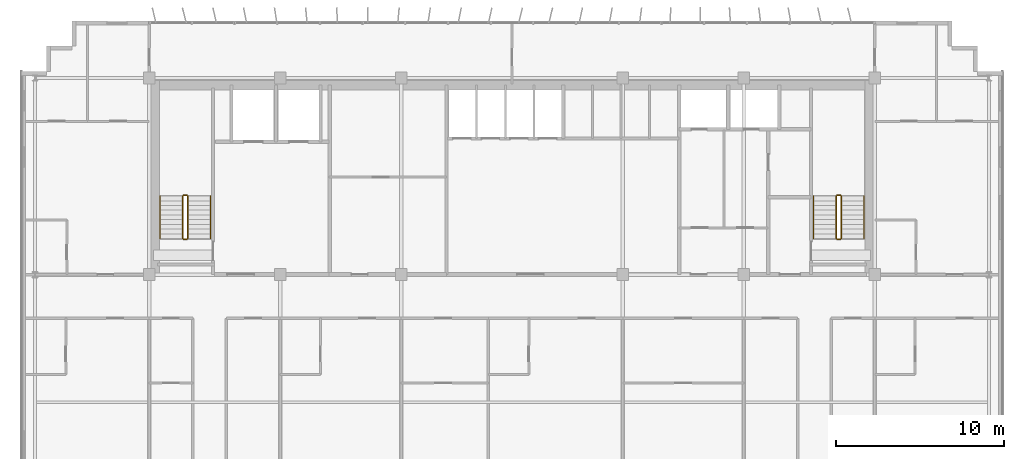
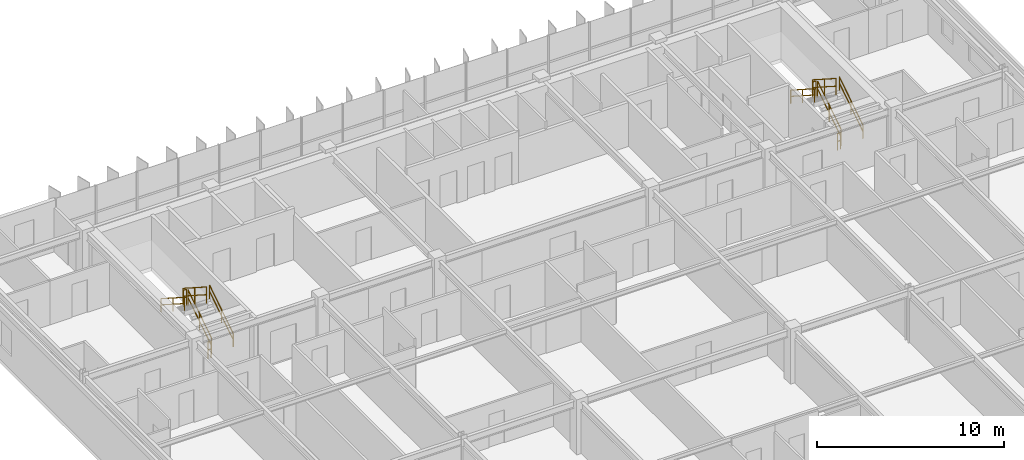
# One storey, part 23 of 23: 12 railings.
"""IFC4 building model written with IfcOpenShell, lengths in metres."""

from ifc_helpers import new_model, si_unit, direction, frame, origin, origin_2d, place, context, subcontext, project, spatial, rectangle, extrude, material, type_object, element, save


model = new_model("IFC4")

# Units and contexts
model_context = context("Model", 3, precision=1e-05, world=origin(), true_north=direction((0.0, 1.0)))
body_context = subcontext(model_context, "Body", "Model", "MODEL_VIEW")
ifc_project = project(units=[si_unit("LENGTHUNIT", "METRE"), si_unit("AREAUNIT", "SQUARE_METRE"), si_unit("VOLUMEUNIT", "CUBIC_METRE"), si_unit("PLANEANGLEUNIT", "RADIAN"), si_unit("MASSUNIT", "GRAM", prefix="KILO")], contexts=[model_context])

# Site, building, storey
site_placement = place(None, origin())
site = spatial("IfcSite", under=ifc_project, at=site_placement, CompositionType="ELEMENT")
building_placement = place(site_placement, origin())
building = spatial("IfcBuilding", under=site, at=building_placement, Name="Trelvane Seafront Commons", CompositionType="ELEMENT")
storey_placement = place(building_placement, frame((0.0, 0.0, 208.5)))
storey = spatial("IfcBuildingStorey", under=building, at=storey_placement, Name="L54", CompositionType="ELEMENT", Elevation=208.5)

# Railings
ifc_material = material(Name="Stainless steel balustrade", Category="steel")
railing_type_1 = type_object("IfcRailingType", Name="ARCH-SRL-GUARD", PredefinedType="GUARDRAIL", material=ifc_material)
railing_1_placement = place(storey_placement, frame((17.89990234375, 35.550048828125, 0.179931640625)))
element("IfcRailing", 1, at=railing_1_placement, inside=storey, type_object=railing_type_1, Name="L54 ST-1 stair guard 1", PredefinedType="GUARDRAIL", context=body_context, shape_type="SweptSolid", body=[
    extrude(rectangle(XDim=0.048095703125, YDim=0.048095703125, at=origin_2d()), frame((0.0, 0.0, 1.076171875), z_axis=(0.0, 0.841162588446, 0.540782303519), x_axis=(-1.0, 0.0, 0.0)), (0.0, 0.0, 1.0), 2.995849609375),
    extrude(rectangle(XDim=0.048095703125, YDim=0.048095703125, at=origin_2d()), frame((0.0, 0.0, 0.572021484375), z_axis=(0.0, 0.841162588446, 0.540782303519), x_axis=(-1.0, 0.0, 0.0)), (0.0, 0.0, 1.0), 2.995849609375),
    extrude(rectangle(XDim=0.0419921875, YDim=0.0419921875, at=origin_2d()), origin(), (0.0, 0.0, 1.0), 1.076171875),
    extrude(rectangle(XDim=0.0419921875, YDim=0.0419921875, at=origin_2d()), frame((0.0, 1.260009765625, 0.81005859375)), (0.0, 0.0, 1.0), 1.076171875),
    extrude(rectangle(XDim=0.0419921875, YDim=0.0419921875, at=origin_2d()), frame((0.0, 2.52001953125, 1.6201171875)), (0.0, 0.0, 1.0), 1.076171875),
])
railing_2_placement = place(storey_placement, frame((17.85009765625, 38.1201171875, 1.800048828125)))
element("IfcRailing", 2, at=railing_2_placement, inside=storey, type_object=railing_type_1, Name="L54 ST-1 stair guard 2", PredefinedType="GUARDRAIL", context=body_context, shape_type="SweptSolid", body=[
    extrude(rectangle(XDim=0.048095703125, YDim=0.048095703125, at=origin_2d()), frame((0.0, 0.0, 1.076171875), z_axis=(-1.0, 0.0, 0.0), x_axis=(0.0, -1.0, 0.0)), (0.0, 0.0, 1.0), 0.2001953125),
    extrude(rectangle(XDim=0.048095703125, YDim=0.048095703125, at=origin_2d()), frame((0.0, 0.0, 0.572021484375), z_axis=(-1.0, 0.0, 0.0), x_axis=(0.0, -1.0, 0.0)), (0.0, 0.0, 1.0), 0.2001953125),
    extrude(rectangle(XDim=0.0419921875, YDim=0.0419921875, at=origin_2d()), origin(), (0.0, 0.0, 1.0), 1.076171875),
    extrude(rectangle(XDim=0.0419921875, YDim=0.0419921875, at=origin_2d()), frame((-0.2001953125, 0.0, 0.0)), (0.0, 0.0, 1.0), 1.076171875),
])
railing_3_placement = place(storey_placement, frame((17.60009765625, 38.070068359375, 1.97998046875)))
element("IfcRailing", 3, at=railing_3_placement, inside=storey, type_object=railing_type_1, Name="L54 ST-1 stair guard 3", PredefinedType="GUARDRAIL", context=body_context, shape_type="SweptSolid", body=[
    extrude(rectangle(XDim=0.048095703125, YDim=0.048095703125, at=origin_2d()), frame((0.0, 0.0, 1.076171875), z_axis=(0.0, -0.841162588446, 0.540782303519), x_axis=(1.0, 0.0, 0.0)), (0.0, 0.0, 1.0), 2.995849609375),
    extrude(rectangle(XDim=0.048095703125, YDim=0.048095703125, at=origin_2d()), frame((0.0, 0.0, 0.572021484375), z_axis=(0.0, -0.841162588446, 0.540782303519), x_axis=(1.0, 0.0, 0.0)), (0.0, 0.0, 1.0), 2.995849609375),
    extrude(rectangle(XDim=0.0419921875, YDim=0.0419921875, at=origin_2d()), origin(), (0.0, 0.0, 1.0), 1.076171875),
    extrude(rectangle(XDim=0.0419921875, YDim=0.0419921875, at=origin_2d()), frame((0.0, -1.260009765625, 0.81005859375)), (0.0, 0.0, 1.0), 1.076171875),
    extrude(rectangle(XDim=0.0419921875, YDim=0.0419921875, at=origin_2d()), frame((0.0, -2.52001953125, 1.6201171875)), (0.0, 0.0, 1.0), 1.076171875),
])
railing_4_placement = place(storey_placement, frame((17.85009765625, 35.5, 0.0)))
element("IfcRailing", 4, at=railing_4_placement, inside=storey, type_object=railing_type_1, Name="L54 ST-1 stair guard 4", PredefinedType="GUARDRAIL", context=body_context, shape_type="SweptSolid", body=[
    extrude(rectangle(XDim=0.048095703125, YDim=0.048095703125, at=origin_2d()), frame((0.0, 0.0, 1.076171875), z_axis=(-1.0, 0.0, 0.0), x_axis=(0.0, -1.0, 0.0)), (0.0, 0.0, 1.0), 0.2001953125),
    extrude(rectangle(XDim=0.048095703125, YDim=0.048095703125, at=origin_2d()), frame((0.0, 0.0, 0.572021484375), z_axis=(-1.0, 0.0, 0.0), x_axis=(0.0, -1.0, 0.0)), (0.0, 0.0, 1.0), 0.2001953125),
    extrude(rectangle(XDim=0.0419921875, YDim=0.0419921875, at=origin_2d()), origin(), (0.0, 0.0, 1.0), 1.076171875),
    extrude(rectangle(XDim=0.0419921875, YDim=0.0419921875, at=origin_2d()), frame((-0.2001953125, 0.0, 0.0)), (0.0, 0.0, 1.0), 1.076171875),
])
railing_5_placement = place(storey_placement, frame((56.800048828125, 35.550048828125, 0.179931640625)))
element("IfcRailing", 5, at=railing_5_placement, inside=storey, type_object=railing_type_1, Name="L54 ST-2 stair guard 1", PredefinedType="GUARDRAIL", context=body_context, shape_type="SweptSolid", body=[
    extrude(rectangle(XDim=0.048095703125, YDim=0.048095703125, at=origin_2d()), frame((0.0, 0.0, 1.076171875), z_axis=(0.0, 0.841162588446, 0.540782303519), x_axis=(-1.0, 0.0, 0.0)), (0.0, 0.0, 1.0), 2.995849609375),
    extrude(rectangle(XDim=0.048095703125, YDim=0.048095703125, at=origin_2d()), frame((0.0, 0.0, 0.572021484375), z_axis=(0.0, 0.841162588446, 0.540782303519), x_axis=(-1.0, 0.0, 0.0)), (0.0, 0.0, 1.0), 2.995849609375),
    extrude(rectangle(XDim=0.0419921875, YDim=0.0419921875, at=origin_2d()), origin(), (0.0, 0.0, 1.0), 1.076171875),
    extrude(rectangle(XDim=0.0419921875, YDim=0.0419921875, at=origin_2d()), frame((0.0, 1.260009765625, 0.81005859375)), (0.0, 0.0, 1.0), 1.076171875),
    extrude(rectangle(XDim=0.0419921875, YDim=0.0419921875, at=origin_2d()), frame((0.0, 2.52001953125, 1.6201171875)), (0.0, 0.0, 1.0), 1.076171875),
])
railing_6_placement = place(storey_placement, frame((56.75, 38.1201171875, 1.800048828125)))
element("IfcRailing", 6, at=railing_6_placement, inside=storey, type_object=railing_type_1, Name="L54 ST-2 stair guard 2", PredefinedType="GUARDRAIL", context=body_context, shape_type="SweptSolid", body=[
    extrude(rectangle(XDim=0.048095703125, YDim=0.048095703125, at=origin_2d()), frame((0.0, 0.0, 1.076171875), z_axis=(-1.0, 0.0, 0.0), x_axis=(0.0, -1.0, 0.0)), (0.0, 0.0, 1.0), 0.199951171875),
    extrude(rectangle(XDim=0.048095703125, YDim=0.048095703125, at=origin_2d()), frame((0.0, 0.0, 0.572021484375), z_axis=(-1.0, 0.0, 0.0), x_axis=(0.0, -1.0, 0.0)), (0.0, 0.0, 1.0), 0.199951171875),
    extrude(rectangle(XDim=0.0419921875, YDim=0.0419921875, at=origin_2d()), origin(), (0.0, 0.0, 1.0), 1.076171875),
    extrude(rectangle(XDim=0.0419921875, YDim=0.0419921875, at=origin_2d()), frame((-0.199951171875, 0.0, 0.0)), (0.0, 0.0, 1.0), 1.076171875),
])
railing_7_placement = place(storey_placement, frame((56.5, 38.070068359375, 1.97998046875)))
element("IfcRailing", 7, at=railing_7_placement, inside=storey, type_object=railing_type_1, Name="L54 ST-2 stair guard 3", PredefinedType="GUARDRAIL", context=body_context, shape_type="SweptSolid", body=[
    extrude(rectangle(XDim=0.048095703125, YDim=0.048095703125, at=origin_2d()), frame((0.0, 0.0, 1.076171875), z_axis=(0.0, -0.841162588446, 0.540782303519), x_axis=(1.0, 0.0, 0.0)), (0.0, 0.0, 1.0), 2.995849609375),
    extrude(rectangle(XDim=0.048095703125, YDim=0.048095703125, at=origin_2d()), frame((0.0, 0.0, 0.572021484375), z_axis=(0.0, -0.841162588446, 0.540782303519), x_axis=(1.0, 0.0, 0.0)), (0.0, 0.0, 1.0), 2.995849609375),
    extrude(rectangle(XDim=0.0419921875, YDim=0.0419921875, at=origin_2d()), origin(), (0.0, 0.0, 1.0), 1.076171875),
    extrude(rectangle(XDim=0.0419921875, YDim=0.0419921875, at=origin_2d()), frame((0.0, -1.260009765625, 0.81005859375)), (0.0, 0.0, 1.0), 1.076171875),
    extrude(rectangle(XDim=0.0419921875, YDim=0.0419921875, at=origin_2d()), frame((0.0, -2.52001953125, 1.6201171875)), (0.0, 0.0, 1.0), 1.076171875),
])
railing_8_placement = place(storey_placement, frame((56.75, 35.5, 0.0)))
element("IfcRailing", 8, at=railing_8_placement, inside=storey, type_object=railing_type_1, Name="L54 ST-2 stair guard 4", PredefinedType="GUARDRAIL", context=body_context, shape_type="SweptSolid", body=[
    extrude(rectangle(XDim=0.048095703125, YDim=0.048095703125, at=origin_2d()), frame((0.0, 0.0, 1.076171875), z_axis=(-1.0, 0.0, 0.0), x_axis=(0.0, -1.0, 0.0)), (0.0, 0.0, 1.0), 0.199951171875),
    extrude(rectangle(XDim=0.048095703125, YDim=0.048095703125, at=origin_2d()), frame((0.0, 0.0, 0.572021484375), z_axis=(-1.0, 0.0, 0.0), x_axis=(0.0, -1.0, 0.0)), (0.0, 0.0, 1.0), 0.199951171875),
    extrude(rectangle(XDim=0.0419921875, YDim=0.0419921875, at=origin_2d()), origin(), (0.0, 0.0, 1.0), 1.076171875),
    extrude(rectangle(XDim=0.0419921875, YDim=0.0419921875, at=origin_2d()), frame((-0.199951171875, 0.0, 0.0)), (0.0, 0.0, 1.0), 1.076171875),
])
railing_type_2 = type_object("IfcRailingType", Name="ARCH-SRL-HAND", PredefinedType="HANDRAIL", material=ifc_material)
railing_9_placement = place(storey_placement, frame((19.25, 35.550048828125, 0.179931640625)))
element("IfcRailing", 9, at=railing_9_placement, inside=storey, type_object=railing_type_2, Name="L54 ST-1 stair handrail 1", PredefinedType="HANDRAIL", context=body_context, shape_type="SweptSolid", body=[
    extrude(rectangle(XDim=0.048095703125, YDim=0.048095703125, at=origin_2d()), frame((0.0, 0.0, 0.8759765625), z_axis=(0.0, 0.841162588446, 0.540782303519), x_axis=(-1.0, 0.0, 0.0)), (0.0, 0.0, 1.0), 2.995849609375),
    extrude(rectangle(XDim=0.048095703125, YDim=0.048095703125, at=origin_2d()), frame((0.0, 0.0, 0.468017578125), z_axis=(0.0, 0.841162588446, 0.540782303519), x_axis=(-1.0, 0.0, 0.0)), (0.0, 0.0, 1.0), 2.995849609375),
    extrude(rectangle(XDim=0.0419921875, YDim=0.0419921875, at=origin_2d()), origin(), (0.0, 0.0, 1.0), 0.8759765625),
    extrude(rectangle(XDim=0.0419921875, YDim=0.0419921875, at=origin_2d()), frame((0.0, 1.260009765625, 0.81005859375)), (0.0, 0.0, 1.0), 0.8759765625),
    extrude(rectangle(XDim=0.0419921875, YDim=0.0419921875, at=origin_2d()), frame((0.0, 2.52001953125, 1.6201171875)), (0.0, 0.0, 1.0), 0.8759765625),
])
railing_10_placement = place(storey_placement, frame((16.25, 38.070068359375, 1.97998046875)))
element("IfcRailing", 10, at=railing_10_placement, inside=storey, type_object=railing_type_2, Name="L54 ST-1 stair handrail 2", PredefinedType="HANDRAIL", context=body_context, shape_type="SweptSolid", body=[
    extrude(rectangle(XDim=0.048095703125, YDim=0.048095703125, at=origin_2d()), frame((0.0, 0.0, 0.8759765625), z_axis=(0.0, -0.841162588446, 0.540782303519), x_axis=(1.0, 0.0, 0.0)), (0.0, 0.0, 1.0), 2.995849609375),
    extrude(rectangle(XDim=0.048095703125, YDim=0.048095703125, at=origin_2d()), frame((0.0, 0.0, 0.468017578125), z_axis=(0.0, -0.841162588446, 0.540782303519), x_axis=(1.0, 0.0, 0.0)), (0.0, 0.0, 1.0), 2.995849609375),
    extrude(rectangle(XDim=0.0419921875, YDim=0.0419921875, at=origin_2d()), origin(), (0.0, 0.0, 1.0), 0.8759765625),
    extrude(rectangle(XDim=0.0419921875, YDim=0.0419921875, at=origin_2d()), frame((0.0, -1.260009765625, 0.81005859375)), (0.0, 0.0, 1.0), 0.8759765625),
    extrude(rectangle(XDim=0.0419921875, YDim=0.0419921875, at=origin_2d()), frame((0.0, -2.52001953125, 1.6201171875)), (0.0, 0.0, 1.0), 0.8759765625),
])
railing_11_placement = place(storey_placement, frame((58.14990234375, 35.550048828125, 0.179931640625)))
element("IfcRailing", 11, at=railing_11_placement, inside=storey, type_object=railing_type_2, Name="L54 ST-2 stair handrail 1", PredefinedType="HANDRAIL", context=body_context, shape_type="SweptSolid", body=[
    extrude(rectangle(XDim=0.048095703125, YDim=0.048095703125, at=origin_2d()), frame((0.0, 0.0, 0.8759765625), z_axis=(0.0, 0.841162588446, 0.540782303519), x_axis=(-1.0, 0.0, 0.0)), (0.0, 0.0, 1.0), 2.995849609375),
    extrude(rectangle(XDim=0.048095703125, YDim=0.048095703125, at=origin_2d()), frame((0.0, 0.0, 0.468017578125), z_axis=(0.0, 0.841162588446, 0.540782303519), x_axis=(-1.0, 0.0, 0.0)), (0.0, 0.0, 1.0), 2.995849609375),
    extrude(rectangle(XDim=0.0419921875, YDim=0.0419921875, at=origin_2d()), origin(), (0.0, 0.0, 1.0), 0.8759765625),
    extrude(rectangle(XDim=0.0419921875, YDim=0.0419921875, at=origin_2d()), frame((0.0, 1.260009765625, 0.81005859375)), (0.0, 0.0, 1.0), 0.8759765625),
    extrude(rectangle(XDim=0.0419921875, YDim=0.0419921875, at=origin_2d()), frame((0.0, 2.52001953125, 1.6201171875)), (0.0, 0.0, 1.0), 0.8759765625),
])
railing_12_placement = place(storey_placement, frame((55.14990234375, 38.070068359375, 1.97998046875)))
element("IfcRailing", 12, at=railing_12_placement, inside=storey, type_object=railing_type_2, Name="L54 ST-2 stair handrail 2", PredefinedType="HANDRAIL", context=body_context, shape_type="SweptSolid", body=[
    extrude(rectangle(XDim=0.048095703125, YDim=0.048095703125, at=origin_2d()), frame((0.0, 0.0, 0.8759765625), z_axis=(0.0, -0.841162588446, 0.540782303519), x_axis=(1.0, 0.0, 0.0)), (0.0, 0.0, 1.0), 2.995849609375),
    extrude(rectangle(XDim=0.048095703125, YDim=0.048095703125, at=origin_2d()), frame((0.0, 0.0, 0.468017578125), z_axis=(0.0, -0.841162588446, 0.540782303519), x_axis=(1.0, 0.0, 0.0)), (0.0, 0.0, 1.0), 2.995849609375),
    extrude(rectangle(XDim=0.0419921875, YDim=0.0419921875, at=origin_2d()), origin(), (0.0, 0.0, 1.0), 0.8759765625),
    extrude(rectangle(XDim=0.0419921875, YDim=0.0419921875, at=origin_2d()), frame((0.0, -1.260009765625, 0.81005859375)), (0.0, 0.0, 1.0), 0.8759765625),
    extrude(rectangle(XDim=0.0419921875, YDim=0.0419921875, at=origin_2d()), frame((0.0, -2.52001953125, 1.6201171875)), (0.0, 0.0, 1.0), 0.8759765625),
])

save(model, "model.ifc")
